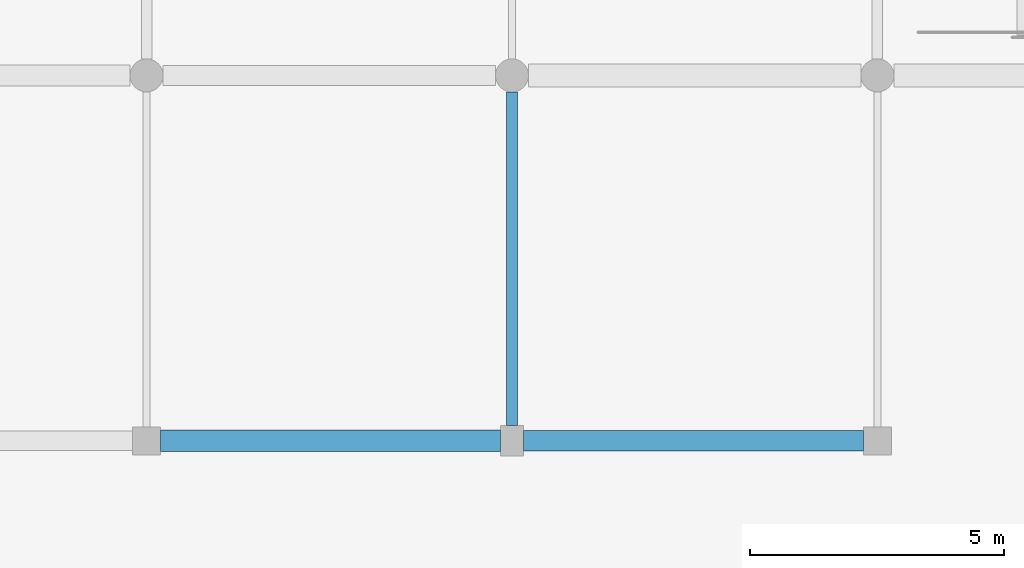
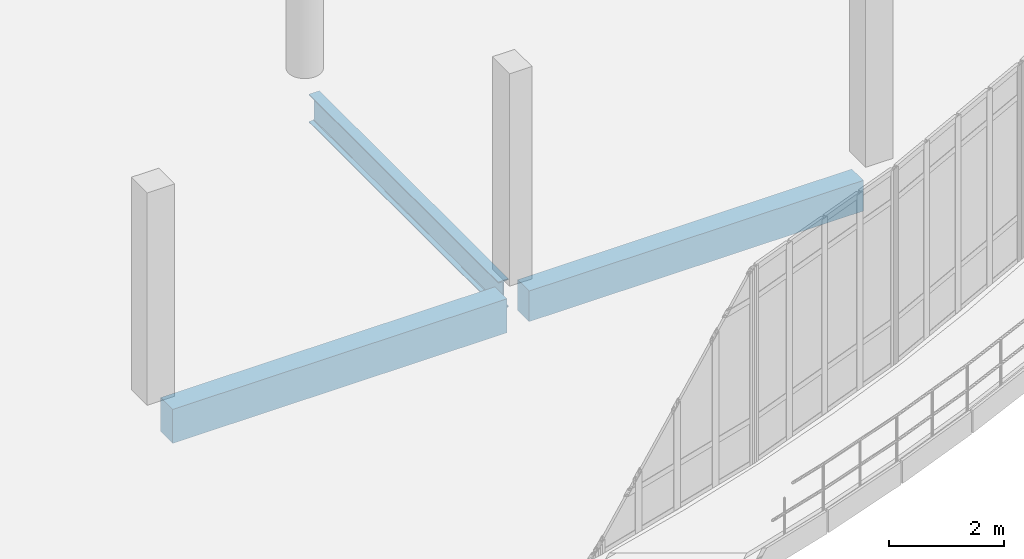
# One storey, part 36 of 124: 3 beams.
"""IFC4 building model written with IfcOpenShell, lengths in metres."""

import ifcopenshell
import ifcopenshell.guid

model = None  # the IFC model being written
_history = None  # IfcOwnerHistory: only IFC2X3 demands one
_inside = {}  # id of a spatial element -> (the spatial element, [elements in it])
_under = {}  # id of a project, library or spatial element -> (it, [spatial elements below it])
_declared = {}  # id of a project -> (the project, [libraries it declares])
_typed = {}  # id of a type object -> (the type object, [elements of that type])
_made_of = {}  # id of a material, layer set ... -> (it, [elements and type objects made of it])


def new_model(schema):
    """Start an empty IFC model of exactly this schema.

    Asked for "IFC4X3", IfcOpenShell would pick the latest addendum, in which some entities
    have other attributes; the version numbers below select the first issue.
    IFC2X3 requires an IfcOwnerHistory on every rooted entity: one is made here for all.
    """
    global model, _history
    if schema == "IFC4X3":
        model = ifcopenshell.file(schema_version=(4, 3, 0, 0))
    else:
        model = ifcopenshell.file(schema=schema)
    _inside.clear()
    _under.clear()
    _declared.clear()
    _typed.clear()
    _made_of.clear()
    _history = None
    if model.schema == "IFC2X3":
        org = make("IfcOrganization", Name="unknown")
        user = make(
            "IfcPersonAndOrganization",
            ThePerson=make("IfcPerson", FamilyName="unknown"),
            TheOrganization=org,
        )
        app = make(
            "IfcApplication",
            ApplicationDeveloper=org,
            Version="unknown",
            ApplicationFullName="unknown",
            ApplicationIdentifier="unknown",
        )
        _history = make(
            "IfcOwnerHistory",
            OwningUser=user,
            OwningApplication=app,
            ChangeAction="ADDED",
            CreationDate=0,
        )
    return model


def make(cls, **values):
    """One entity of the class cls with the attributes given. An attribute that is None is left unset."""
    return model.create_entity(
        cls, **{name: value for name, value in values.items() if value is not None}
    )


def rooted(cls, **values):
    """An entity with a GlobalId (a new one), such as an element, a storey or a relation."""
    return make(cls, GlobalId=ifcopenshell.guid.new(), OwnerHistory=_history, **values)


def si_unit(unit_type, name, prefix=None):
    """IfcSIUnit, for example si_unit("LENGTHUNIT", "METRE", prefix="MILLI")."""
    return make("IfcSIUnit", UnitType=unit_type, Prefix=prefix, Name=name)


def assignment(units):
    """IfcUnitAssignment: the units of a project."""
    return None if units is None else make("IfcUnitAssignment", Units=units)


def point(xyz):
    """IfcCartesianPoint."""
    return None if xyz is None else make("IfcCartesianPoint", Coordinates=xyz)


def direction(xyz):
    """IfcDirection."""
    return None if xyz is None else make("IfcDirection", DirectionRatios=xyz)


def frame(location, z_axis=None, x_axis=None):
    """IfcAxis2Placement3D, a coordinate frame: its origin and axes. An axis left out is left unset."""
    return make(
        "IfcAxis2Placement3D",
        Location=point(location),
        Axis=direction(z_axis),
        RefDirection=direction(x_axis),
    )


def frame_2d(location, x_axis=None):
    """IfcAxis2Placement2D, a coordinate frame in the plane: its origin and x axis."""
    return make(
        "IfcAxis2Placement2D", Location=point(location), RefDirection=direction(x_axis)
    )


def origin():
    """The frame at (0, 0, 0) with its axes left unset."""
    return frame((0.0, 0.0, 0.0))


def origin_2d():
    """The frame at (0, 0) in the plane with its x axis left unset."""
    return frame_2d((0.0, 0.0))


def place(relative_to, where):
    """IfcLocalPlacement: puts the frame where relative to a parent placement (None: the world)."""
    return make(
        "IfcLocalPlacement", PlacementRelTo=relative_to, RelativePlacement=where
    )


def context(
    kind, dimensions, precision=None, world=None, true_north=None, identifier=None
):
    """IfcGeometricRepresentationContext, for example the 3D "Model" context."""
    return make(
        "IfcGeometricRepresentationContext",
        ContextIdentifier=identifier,
        ContextType=kind,
        CoordinateSpaceDimension=dimensions,
        Precision=precision,
        WorldCoordinateSystem=world,
        TrueNorth=true_north,
    )


def subcontext(parent, identifier, kind, view, scale=None):
    """IfcGeometricRepresentationSubContext, for example "Body" below "Model"."""
    return make(
        "IfcGeometricRepresentationSubContext",
        ContextIdentifier=identifier,
        ContextType=kind,
        ParentContext=parent,
        TargetScale=scale,
        TargetView=view,
    )


def project(units=None, contexts=None):
    """IfcProject with its units and contexts."""
    return rooted(
        "IfcProject",
        Name="project",
        RepresentationContexts=contexts,
        UnitsInContext=assignment(units),
    )


def spatial(cls, under=None, at=None, **own):
    """A site, building, storey or space (cls), placed at a placement, below another one or the project."""
    s = rooted(cls, ObjectPlacement=at, **own)
    if under is not None:
        _under.setdefault(under.id(), (under, []))[1].append(s)
    return s


def profile(cls, at=None, kind="AREA", **sizes):
    """A parametric profile (cls). Its sizes go by their IFC names, for example OverallWidth=200.0."""
    return make(cls, ProfileType=kind, Position=at, **sizes)


def rectangle(**sizes):
    """IfcRectangleProfileDef."""
    return profile("IfcRectangleProfileDef", **sizes)


def i_section(**sizes):
    """IfcIShapeProfileDef."""
    return profile("IfcIShapeProfileDef", **sizes)


def extrude(swept, where, along, depth):
    """IfcExtrudedAreaSolid: the profile swept, set in the frame where, extruded along a direction by depth."""
    return make(
        "IfcExtrudedAreaSolid",
        SweptArea=swept,
        Position=where,
        ExtrudedDirection=direction(along),
        Depth=depth,
    )


def shape(context_of_items, identifier, shape_type, items):
    """IfcShapeRepresentation: the items that make up one representation, for example the "Body"."""
    return make(
        "IfcShapeRepresentation",
        ContextOfItems=context_of_items,
        RepresentationIdentifier=identifier,
        RepresentationType=shape_type,
        Items=items,
    )


def material(Name=None, Category=None):
    """IfcMaterial."""
    return make("IfcMaterial", Name=Name, Category=Category)


def material_profile(
    of_material, cross_section, Name=None, Category=None, Priority=None
):
    """IfcMaterialProfile: a cross section and its material."""
    return make(
        "IfcMaterialProfile",
        Name=Name,
        Material=of_material,
        Profile=cross_section,
        Priority=Priority,
        Category=Category,
    )


def profile_set(profiles, Name=None, composite=None):
    """IfcMaterialProfileSet."""
    return make(
        "IfcMaterialProfileSet",
        Name=Name,
        MaterialProfiles=profiles,
        CompositeProfile=composite,
    )


def made_of(thing, what):
    """Note that an element or type object is made of a material, layer set ...; save() writes the relation."""
    if what is not None:
        _made_of.setdefault(what.id(), (what, []))[1].append(thing)
    return thing


def type_object(cls, material=None, **own):
    """A type object (cls), such as IfcWallType, which elements share."""
    return made_of(rooted(cls, **own), material)


def element(
    cls,
    number,
    at=None,
    inside=None,
    cuts=None,
    type_object=None,
    material=None,
    context=None,
    identifier="Body",
    shape_type=None,
    held_by="IfcProductDefinitionShape",
    body=None,
    shapes=None,
    **own,
):
    """One element of the class cls, such as IfcWall. Its Tag is "e" and its number.

    at: its placement. inside: the storey or other place that contains it. cuts: it is an
    opening in that element (IfcRelVoidsElement). A single representation is given by context,
    identifier, shape_type and body (its items); several are given by shapes. held_by: the class
    of the entity that holds the representations. save() writes the other relations.
    """
    e = rooted(cls, Tag="e%d" % number, ObjectPlacement=at, **own)
    if body is not None:
        shapes = [shape(context, identifier, shape_type, body)]
    if shapes is not None:
        e.Representation = make(held_by, Representations=shapes)
    if inside is not None:
        _inside.setdefault(inside.id(), (inside, []))[1].append(e)
    if cuts is not None:
        rooted(
            "IfcRelVoidsElement", RelatingBuildingElement=cuts, RelatedOpeningElement=e
        )
    if type_object is not None:
        _typed.setdefault(type_object.id(), (type_object, []))[1].append(e)
    return made_of(e, material)


def aggregate(whole, parts):
    """IfcRelAggregates: a whole, such as a stair, and the parts it consists of."""
    return rooted("IfcRelAggregates", RelatingObject=whole, RelatedObjects=parts)


def save(model, path):
    """Write the relations noted so far, then the file.

    IfcRelAggregates (storeys below a building ...), IfcRelContainedInSpatialStructure (elements
    in a storey), IfcRelDefinesByType, IfcRelAssociatesMaterial and IfcRelDeclares: one each for
    every whole, place, type object, material and project.
    """
    for whole, parts in _under.values():
        aggregate(whole, parts)
    for where, things in _inside.values():
        rooted(
            "IfcRelContainedInSpatialStructure",
            RelatedElements=things,
            RelatingStructure=where,
        )
    for kind, things in _typed.values():
        rooted("IfcRelDefinesByType", RelatedObjects=things, RelatingType=kind)
    for what, things in _made_of.values():
        rooted("IfcRelAssociatesMaterial", RelatedObjects=things, RelatingMaterial=what)
    for by, libraries in _declared.values():
        rooted("IfcRelDeclares", RelatingContext=by, RelatedDefinitions=libraries)
    model.write(path)


model = new_model("IFC4")

# Units and contexts
model_context = context("Model", 3, precision=1e-05, world=origin(), true_north=direction((0.0, 1.0)))
body_context = subcontext(model_context, "Body", "Model", "MODEL_VIEW")
ifc_project = project(units=[si_unit("LENGTHUNIT", "METRE"), si_unit("AREAUNIT", "SQUARE_METRE"), si_unit("VOLUMEUNIT", "CUBIC_METRE"), si_unit("PLANEANGLEUNIT", "RADIAN"), si_unit("MASSUNIT", "GRAM", prefix="KILO")], contexts=[model_context])

# Site, building, storey
site_placement = place(None, origin())
site = spatial("IfcSite", under=ifc_project, at=site_placement, CompositionType="ELEMENT")
building_placement = place(site_placement, origin())
building = spatial("IfcBuilding", under=site, at=building_placement, Name="Kalluvel Institute of Natural Sciences", CompositionType="ELEMENT")
storey_placement = place(building_placement, frame((0.0, 0.0, 9.89990234375)))
storey = spatial("IfcBuildingStorey", under=building, at=storey_placement, Name="L02", CompositionType="ELEMENT", Elevation=9.89990234375)

# Beams
ifc_material_1 = material(Name="Steel E350 Grade 350", Category="steel")
ifc_material_profile_1 = material_profile(ifc_material_1, i_section(OverallWidth=0.2099609375, OverallDepth=0.60009765625, WebThickness=0.011962890625, FlangeThickness=0.020751953125, FilletRadius=0.02001953125, at=origin_2d()), Name="ISMB 600")
ifc_profile_set_1 = profile_set([ifc_material_profile_1], Name="Steel E350 Grade 350")
beam_type_1 = type_object("IfcBeamType", Name="BM-ISMB600", PredefinedType="BEAM", material=ifc_profile_set_1)
beam_1_placement = place(storey_placement, frame((50.0, 64.699951171875, -0.619873046875), z_axis=(0.0, 1.0, 0.0), x_axis=(-1.0, 0.0, 0.0)))
element("IfcBeam", 1, at=beam_1_placement, inside=storey, type_object=beam_type_1, Name="L02 girder GIR-L02-NS-X500-Y644", PredefinedType="BEAM", context=body_context, shape_type="SweptSolid", body=[
    extrude(i_section(OverallWidth=0.2099609375, OverallDepth=0.60009765625, WebThickness=0.011962890625, FlangeThickness=0.020751953125, FilletRadius=0.02001953125, at=origin_2d()), origin(), (0.0, 0.0, 1.0), 6.574951171875),
])
ifc_material_2 = material(Name="Concrete M40", Category="concrete")
ifc_material_profile_2 = material_profile(ifc_material_2, rectangle(XDim=0.39990234375, YDim=0.64990234375, at=origin_2d()), Name="RCB 400x650")
ifc_profile_set_2 = profile_set([ifc_material_profile_2], Name="Concrete M40")
beam_type_2 = type_object("IfcBeamType", Name="BM-RC400x650", PredefinedType="BEAM", material=ifc_profile_set_2)
beam_2_placement = place(storey_placement, frame((50.22509765625, 64.39990234375, -0.64501953125), z_axis=(1.0, 0.0, 0.0), x_axis=(0.0, 1.0, 0.0)))
element("IfcBeam", 2, at=beam_2_placement, inside=storey, type_object=beam_type_2, Name="L02 girder GIR-L02-EW-X500-Y644", PredefinedType="BEAM", context=body_context, shape_type="SweptSolid", body=[
    extrude(rectangle(XDim=0.39990234375, YDim=0.64990234375, at=origin_2d()), origin(), (0.0, 0.0, 1.0), 6.699951171875),
])
ifc_material_profile_3 = material_profile(ifc_material_2, rectangle(XDim=0.419921875, YDim=0.719970703125, at=origin_2d()), Name="RCB 420x720")
ifc_profile_set_3 = profile_set([ifc_material_profile_3], Name="Concrete M40")
beam_type_3 = type_object("IfcBeamType", Name="BM-RC420x720", PredefinedType="BEAM", material=ifc_profile_set_3)
beam_3_placement = place(storey_placement, frame((43.074951171875, 64.39990234375, -0.679931640625), z_axis=(1.0, 0.0, 0.0), x_axis=(0.0, 1.0, 0.0)))
element("IfcBeam", 3, at=beam_3_placement, inside=storey, type_object=beam_type_3, Name="L02 girder GIR-L02-EW-X428-Y644", PredefinedType="BEAM", context=body_context, shape_type="SweptSolid", body=[
    extrude(rectangle(XDim=0.419921875, YDim=0.719970703125, at=origin_2d()), origin(), (0.0, 0.0, 1.0), 6.699951171875),
])

save(model, "model.ifc")
